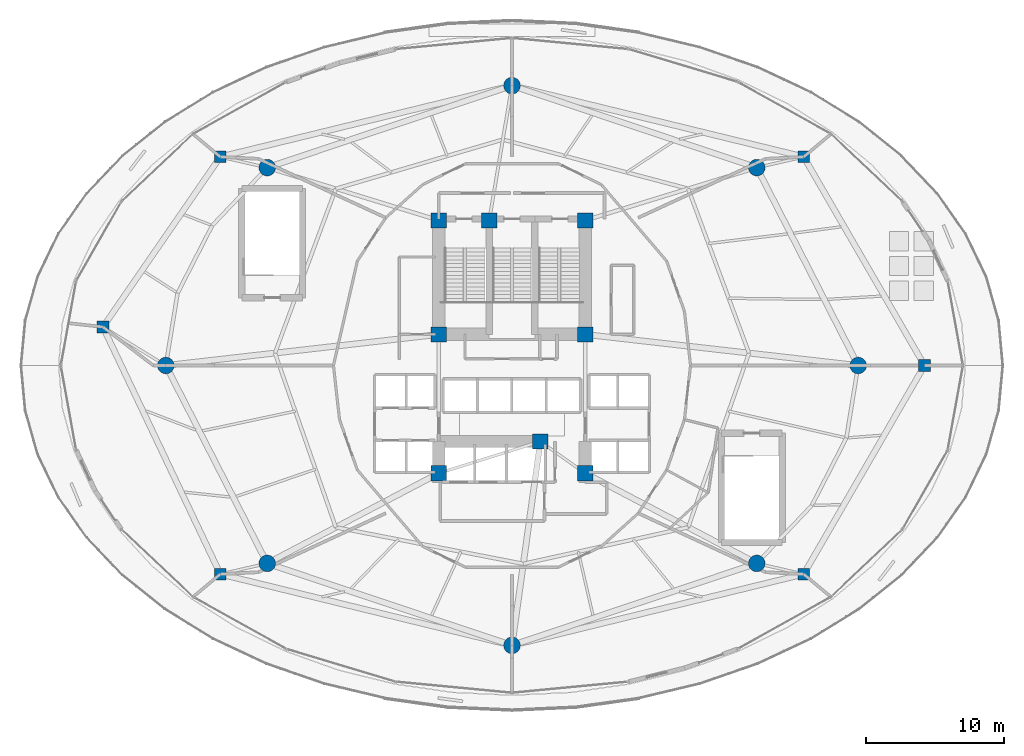
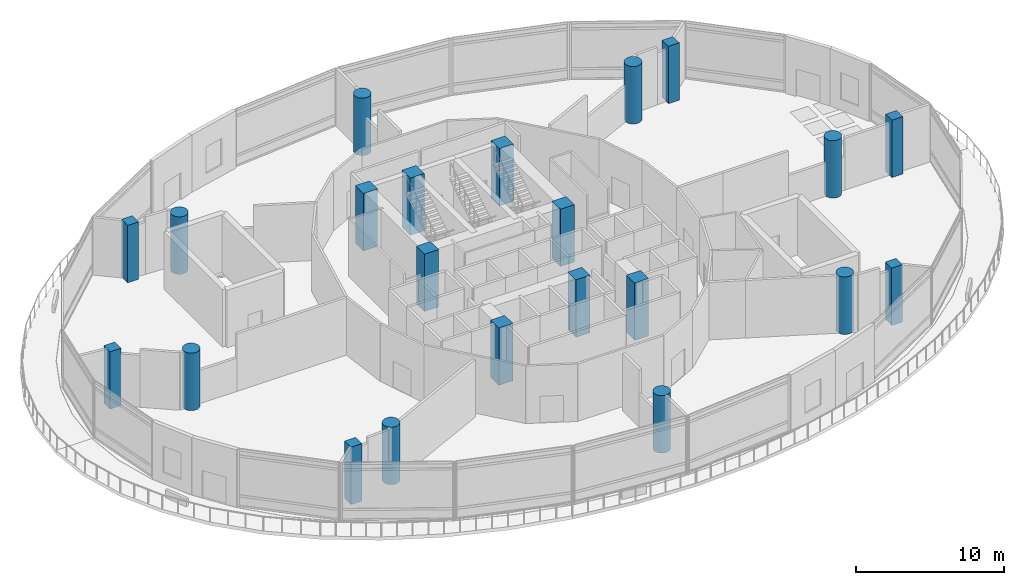
# One storey, part 1 of 34: 22 columns.
"""IFC4 building model written with IfcOpenShell, lengths in metres."""

from ifc_helpers import new_model, si_unit, direction, frame, origin, origin_2d, place, context, subcontext, project, spatial, rectangle, circle, extrude, material, material_profile, profile_set, type_object, element, save


model = new_model("IFC4")

# Units and contexts
model_context = context("Model", 3, precision=1e-05, world=origin(), true_north=direction((0.0, 1.0)))
body_context = subcontext(model_context, "Body", "Model", "MODEL_VIEW")
ifc_project = project(units=[si_unit("LENGTHUNIT", "METRE"), si_unit("AREAUNIT", "SQUARE_METRE"), si_unit("VOLUMEUNIT", "CUBIC_METRE"), si_unit("PLANEANGLEUNIT", "RADIAN"), si_unit("MASSUNIT", "GRAM", prefix="KILO")], contexts=[model_context])

# Site, building, storey
site_placement = place(None, origin())
site = spatial("IfcSite", under=ifc_project, at=site_placement, CompositionType="ELEMENT")
building_placement = place(site_placement, origin())
building = spatial("IfcBuilding", under=site, at=building_placement, Name="Nuhasar Tower", CompositionType="ELEMENT")
storey_placement = place(building_placement, frame((0.0, 0.0, 16.0)))
storey = spatial("IfcBuildingStorey", under=building, at=storey_placement, Name="L03", CompositionType="ELEMENT", Elevation=16.0)

# Columns
ifc_material_1 = material(Name="Concrete C80/95", Category="concrete")
ifc_material_profile_1 = material_profile(ifc_material_1, circle(Radius=0.60009765625, at=origin_2d()), Name="CFT1200")
ifc_profile_set_1 = profile_set([ifc_material_profile_1], Name="Concrete C80/95")
column_type_1 = type_object("IfcColumnType", Name="COL-CFT-1200", PredefinedType="COLUMN", material=ifc_profile_set_1)
for number, where, z_axis, x_axis, name in (
    (1, (64.050048828125, 26.800048828125, 0.0), (0.0, 0.0, 1.0), (1.0, 0.0, 0.0), "L03 Perimeter Composite Column TC-01"),
    (2, (56.712890625, 41.118896484375, 0.0), (0.0, 0.0, 1.0), (1.0, 0.0, 0.0), "L03 Perimeter Composite Column TC-04"),
    (3, (39.0, 47.050048828125, 0.0), (0.0, 0.0, 1.0), (1.0, 0.0, 0.0), "L03 Perimeter Composite Column TC-07"),
    (4, (21.287109375, 41.118896484375, 0.0), (0.0, 0.0, 1.0), (1.0, 0.0, 0.0), "L03 Perimeter Composite Column TC-10"),
    (5, (13.949951171875, 26.800048828125, 0.0), (0.0, 0.0, 1.0), (1.0, 0.0, 0.0), "L03 Perimeter Composite Column TC-13"),
    (6, (21.287109375, 12.48095703125, 0.0), (0.0, 0.0, 1.0), (1.0, 0.0, 0.0), "L03 Perimeter Composite Column TC-16"),
    (7, (39.0, 6.550048828125, 0.0), (0.0, 0.0, 1.0), (1.0, 0.0, 0.0), "L03 Perimeter Composite Column TC-19"),
    (8, (56.712890625, 12.48095703125, 0.0), (0.0, 0.0, 1.0), (1.0, 0.0, 0.0), "L03 Perimeter Composite Column TC-22"),
):
    element("IfcColumn", number, at=place(storey_placement, frame(where, z_axis=z_axis, x_axis=x_axis)), inside=storey, type_object=column_type_1, Name=name, PredefinedType="COLUMN", context=body_context, shape_type="SweptSolid", body=[
        extrude(circle(Radius=0.60009765625, at=origin_2d()), origin(), (0.0, 0.0, 1.0), 4.739990234375),
    ])
ifc_material_2 = material(Name="Concrete C50/60", Category="concrete")
ifc_material_profile_2 = material_profile(ifc_material_2, rectangle(XDim=0.85009765625, YDim=0.85009765625, at=origin_2d()), Name="RC850X850")
ifc_profile_set_2 = profile_set([ifc_material_profile_2], Name="Concrete C50/60")
column_type_2 = type_object("IfcColumnType", Name="COL-POD-850", PredefinedType="COLUMN", material=ifc_profile_set_2)
for number, where, z_axis, x_axis, name in (
    (9, (68.85009765625, 26.800048828125, 0.0), (0.0, 0.0, 1.0), (1.0, 0.0, 0.0), "L03 Podium Perimeter Column PC-01"),
    (10, (60.10693359375, 41.89697265625, 0.0), (0.0, 0.0, 1.0), (1.0, 0.0, 0.0), "L03 Podium Perimeter Column PC-02"),
    (11, (17.89306640625, 41.89697265625, 0.0), (0.0, 0.0, 1.0), (1.0, 0.0, 0.0), "L03 Podium Perimeter Column PC-03"),
    (12, (9.405029296875, 29.5869140625, 0.0), (0.0, 0.0, 1.0), (1.0, 0.0, 0.0), "L03 Podium Perimeter Column PC-04"),
    (13, (17.89306640625, 11.702880859375, 0.0), (0.0, 0.0, 1.0), (1.0, 0.0, 0.0), "L03 Podium Perimeter Column PC-05"),
    (14, (60.10693359375, 11.702880859375, 0.0), (0.0, 0.0, 1.0), (1.0, 0.0, 0.0), "L03 Podium Perimeter Column PC-06"),
):
    element("IfcColumn", number, at=place(storey_placement, frame(where, z_axis=z_axis, x_axis=x_axis)), inside=storey, type_object=column_type_2, Name=name, PredefinedType="COLUMN", context=body_context, shape_type="SweptSolid", body=[
        extrude(rectangle(XDim=0.85009765625, YDim=0.85009765625, at=origin_2d()), origin(), (0.0, 0.0, 1.0), 4.739990234375),
    ])
ifc_material_profile_3 = material_profile(ifc_material_1, rectangle(XDim=1.10009765625, YDim=1.10009765625, at=origin_2d()), Name="RC1100X1100")
ifc_profile_set_3 = profile_set([ifc_material_profile_3], Name="Concrete C80/95")
column_type_3 = type_object("IfcColumnType", Name="PIL-RC-1100", PredefinedType="PILASTER", material=ifc_profile_set_3)
for number, where, z_axis, x_axis, name in (
    (15, (33.699951171875, 19.0, 0.0), (0.0, 0.0, 1.0), (1.0, 0.0, 0.0), "L03 Core Boundary Pilaster CC-01"),
    (16, (41.050048828125, 21.300048828125, 0.0), (0.0, 0.0, 1.0), (1.0, 0.0, 0.0), "L03 Core Boundary Pilaster CC-02"),
    (17, (44.300048828125, 19.0, 0.0), (0.0, 0.0, 1.0), (1.0, 0.0, 0.0), "L03 Core Boundary Pilaster CC-03"),
    (18, (44.300048828125, 29.050048828125, 0.0), (0.0, 0.0, 1.0), (1.0, 0.0, 0.0), "L03 Core Boundary Pilaster CC-04"),
    (19, (44.300048828125, 37.300048828125, 0.0), (0.0, 0.0, 1.0), (1.0, 0.0, 0.0), "L03 Core Boundary Pilaster CC-05"),
    (20, (37.35009765625, 37.300048828125, 0.0), (0.0, 0.0, 1.0), (1.0, 0.0, 0.0), "L03 Core Boundary Pilaster CC-06"),
    (21, (33.699951171875, 37.300048828125, 0.0), (0.0, 0.0, 1.0), (1.0, 0.0, 0.0), "L03 Core Boundary Pilaster CC-07"),
    (22, (33.699951171875, 29.050048828125, 0.0), (0.0, 0.0, 1.0), (1.0, 0.0, 0.0), "L03 Core Boundary Pilaster CC-08"),
):
    element("IfcColumn", number, at=place(storey_placement, frame(where, z_axis=z_axis, x_axis=x_axis)), inside=storey, type_object=column_type_3, Name=name, PredefinedType="PILASTER", context=body_context, shape_type="SweptSolid", body=[
        extrude(rectangle(XDim=1.10009765625, YDim=1.10009765625, at=origin_2d()), origin(), (0.0, 0.0, 1.0), 4.739990234375),
    ])

save(model, "model.ifc")
